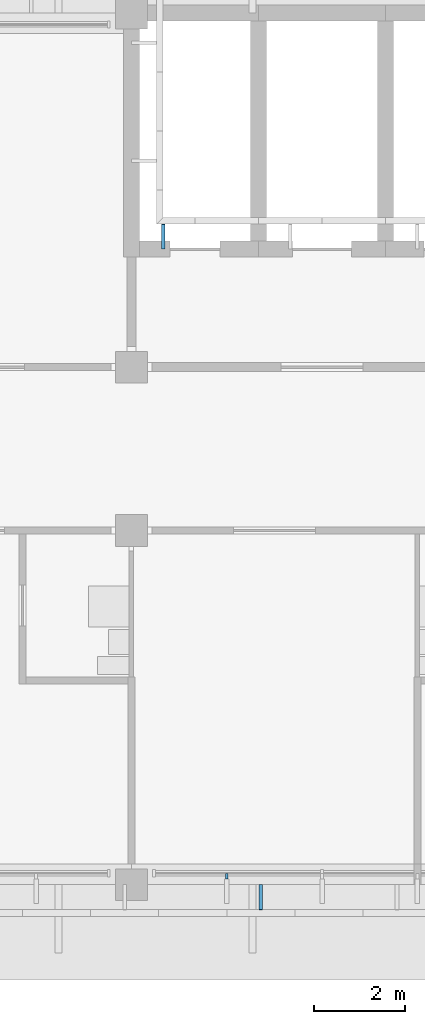
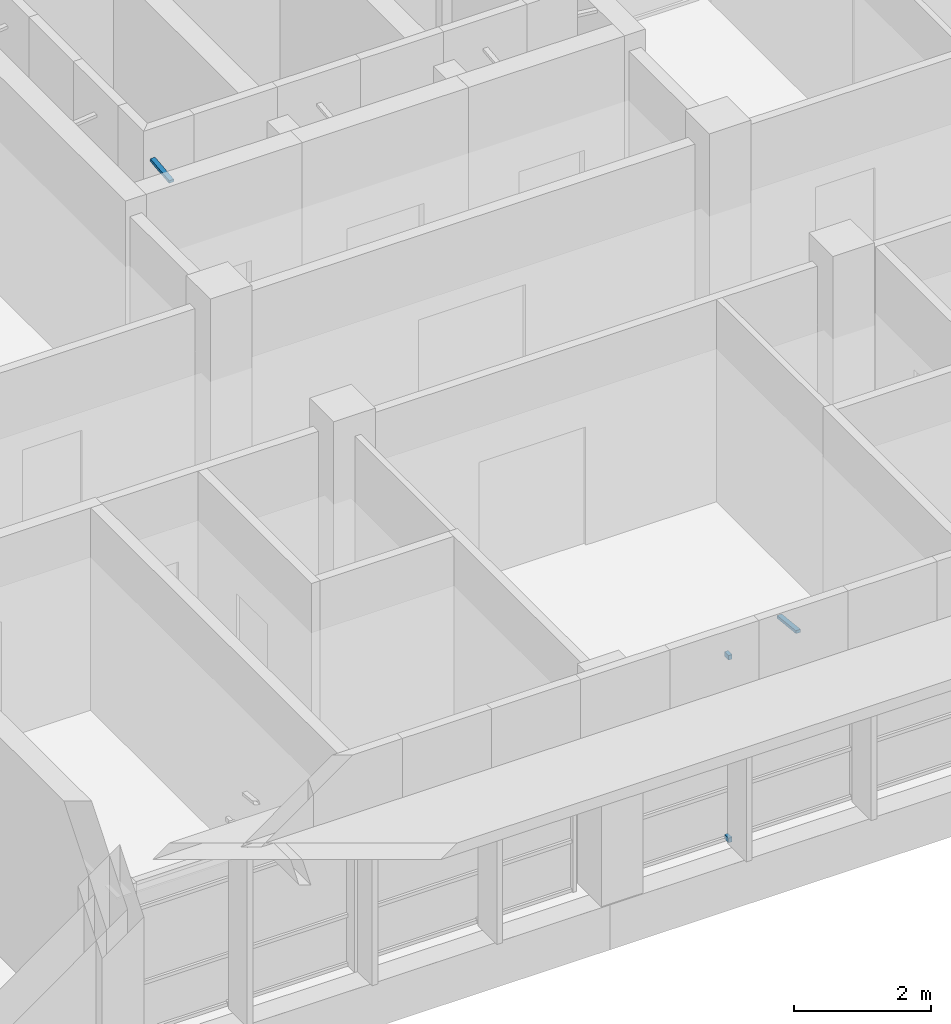
# One storey, part 51 of 71: 4 discrete accessories.
"""IFC4 building model written with IfcOpenShell, lengths in metres."""

from ifc_helpers import new_model, si_unit, direction, frame, origin, origin_2d, place, context, subcontext, project, spatial, rectangle, extrude, material, material_profile, profile_set, type_object, element, save


model = new_model("IFC4")

# Units and contexts
model_context = context("Model", 3, precision=1e-05, world=origin(), true_north=direction((0.0, 1.0)))
body_context = subcontext(model_context, "Body", "Model", "MODEL_VIEW")
ifc_project = project(units=[si_unit("LENGTHUNIT", "METRE"), si_unit("AREAUNIT", "SQUARE_METRE"), si_unit("VOLUMEUNIT", "CUBIC_METRE"), si_unit("PLANEANGLEUNIT", "RADIAN"), si_unit("MASSUNIT", "GRAM", prefix="KILO")], contexts=[model_context])

# Site, building, storey
site_placement = place(None, origin())
site = spatial("IfcSite", under=ifc_project, at=site_placement, CompositionType="ELEMENT")
building_placement = place(site_placement, origin())
building = spatial("IfcBuilding", under=site, at=building_placement, Name="Bougainvillea Quay General Hospital", CompositionType="ELEMENT")
storey_placement = place(building_placement, frame((0.0, 0.0, 24.89990234375)))
storey = spatial("IfcBuildingStorey", under=building, at=storey_placement, Name="L05", CompositionType="ELEMENT", Elevation=24.89990234375)

# Discrete accessories
ifc_material = material(Name="Stainless steel bracket, grade 316", Category="steel")
discrete_accessory_type_1 = type_object("IfcDiscreteAccessoryType", Name="Stainless steel fin arm 60x80", PredefinedType="BRACKET", material=ifc_material)
for number, where, z_axis, x_axis, name in (
    (1, (136.5, 117.7900390625, 0.0), (0.0, 0.0, 1.0), (0.0, -1.0, 0.0), "Fin arm V5B L05 01.12B"),
    (2, (136.5, 117.7900390625, 3.25), (0.0, 0.0, 1.0), (0.0, -1.0, 0.0), "Fin arm V5B L05 01.12T"),
):
    element("IfcDiscreteAccessory", number, at=place(storey_placement, frame(where, z_axis=z_axis, x_axis=x_axis)), inside=storey, type_object=discrete_accessory_type_1, Name=name, PredefinedType="BRACKET", context=body_context, shape_type="SweptSolid", body=[
        extrude(rectangle(XDim=0.1201171875, YDim=0.06005859375, at=origin_2d()), origin(), (0.0, 0.0, 1.0), 0.080078125),
    ])
ifc_material_profile = material_profile(ifc_material, rectangle(XDim=0.080078125, YDim=0.050048828125, at=origin_2d()))
ifc_profile_set = profile_set([ifc_material_profile], Name="Stainless steel bracket, grade 316")
discrete_accessory_type_2 = type_object("IfcDiscreteAccessoryType", Name="Stainless steel stand-off bracket 80x50", PredefinedType="BRACKET", material=ifc_profile_set)
discrete_accessory_1_placement = place(storey_placement, frame((137.25, 117.60009765625, 3.840087890625), z_axis=(0.0, -0.994091793559, 0.108542645901), x_axis=(1.0, 0.0, 0.0)))
element("IfcDiscreteAccessory", 3, at=discrete_accessory_1_placement, inside=storey, type_object=discrete_accessory_type_2, Name="Fascia bracket e0 77", PredefinedType="BRACKET", context=body_context, shape_type="SweptSolid", body=[
    extrude(rectangle(XDim=0.080078125, YDim=0.050048828125, at=origin_2d()), origin(), (0.0, 0.0, 1.0), 0.55322265625),
])
discrete_accessory_2_placement = place(storey_placement, frame((135.10009765625, 131.60009765625, 3.840087890625), z_axis=(0.0, 0.994086591779, 0.108590276011), x_axis=(-1.0, 0.0, 0.0)))
element("IfcDiscreteAccessory", 4, at=discrete_accessory_2_placement, inside=storey, type_object=discrete_accessory_type_2, Name="Fascia bracket e0 137", PredefinedType="BRACKET", context=body_context, shape_type="SweptSolid", body=[
    extrude(rectangle(XDim=0.080078125, YDim=0.050048828125, at=origin_2d()), origin(), (0.0, 0.0, 1.0), 0.552978515625),
])

save(model, "model.ifc")
